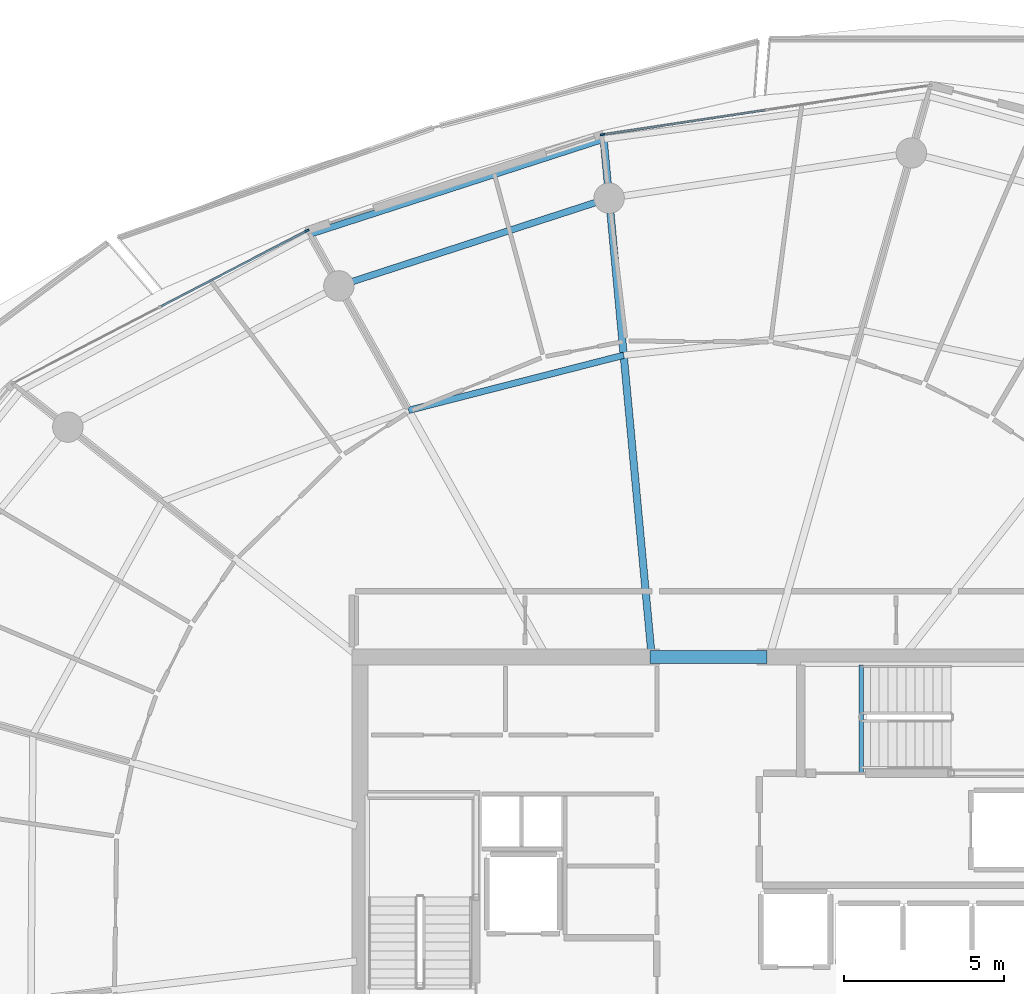
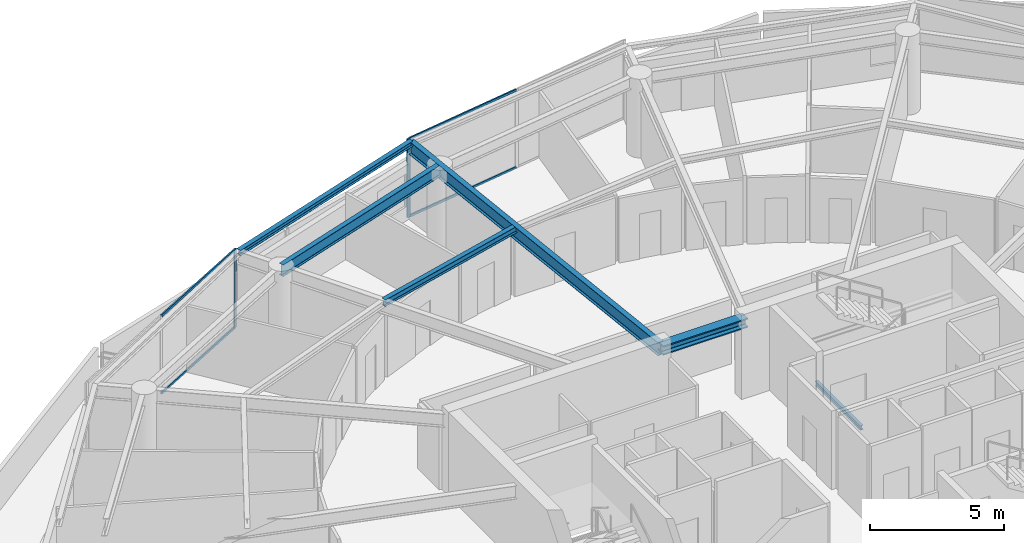
# One storey, part 13 of 30: 6 beams, 6 members, 2 elements without a shape of their own.
"""IFC4 building model written with IfcOpenShell, lengths in metres."""

import ifcopenshell
import ifcopenshell.guid

model = None  # the IFC model being written
_history = None  # IfcOwnerHistory: only IFC2X3 demands one
_inside = {}  # id of a spatial element -> (the spatial element, [elements in it])
_under = {}  # id of a project, library or spatial element -> (it, [spatial elements below it])
_declared = {}  # id of a project -> (the project, [libraries it declares])
_typed = {}  # id of a type object -> (the type object, [elements of that type])
_made_of = {}  # id of a material, layer set ... -> (it, [elements and type objects made of it])


def new_model(schema):
    """Start an empty IFC model of exactly this schema.

    Asked for "IFC4X3", IfcOpenShell would pick the latest addendum, in which some entities
    have other attributes; the version numbers below select the first issue.
    IFC2X3 requires an IfcOwnerHistory on every rooted entity: one is made here for all.
    """
    global model, _history
    if schema == "IFC4X3":
        model = ifcopenshell.file(schema_version=(4, 3, 0, 0))
    else:
        model = ifcopenshell.file(schema=schema)
    _inside.clear()
    _under.clear()
    _declared.clear()
    _typed.clear()
    _made_of.clear()
    _history = None
    if model.schema == "IFC2X3":
        org = make("IfcOrganization", Name="unknown")
        user = make(
            "IfcPersonAndOrganization",
            ThePerson=make("IfcPerson", FamilyName="unknown"),
            TheOrganization=org,
        )
        app = make(
            "IfcApplication",
            ApplicationDeveloper=org,
            Version="unknown",
            ApplicationFullName="unknown",
            ApplicationIdentifier="unknown",
        )
        _history = make(
            "IfcOwnerHistory",
            OwningUser=user,
            OwningApplication=app,
            ChangeAction="ADDED",
            CreationDate=0,
        )
    return model


def make(cls, **values):
    """One entity of the class cls with the attributes given. An attribute that is None is left unset."""
    return model.create_entity(
        cls, **{name: value for name, value in values.items() if value is not None}
    )


def rooted(cls, **values):
    """An entity with a GlobalId (a new one), such as an element, a storey or a relation."""
    return make(cls, GlobalId=ifcopenshell.guid.new(), OwnerHistory=_history, **values)


def si_unit(unit_type, name, prefix=None):
    """IfcSIUnit, for example si_unit("LENGTHUNIT", "METRE", prefix="MILLI")."""
    return make("IfcSIUnit", UnitType=unit_type, Prefix=prefix, Name=name)


def assignment(units):
    """IfcUnitAssignment: the units of a project."""
    return None if units is None else make("IfcUnitAssignment", Units=units)


def point(xyz):
    """IfcCartesianPoint."""
    return None if xyz is None else make("IfcCartesianPoint", Coordinates=xyz)


def direction(xyz):
    """IfcDirection."""
    return None if xyz is None else make("IfcDirection", DirectionRatios=xyz)


def frame(location, z_axis=None, x_axis=None):
    """IfcAxis2Placement3D, a coordinate frame: its origin and axes. An axis left out is left unset."""
    return make(
        "IfcAxis2Placement3D",
        Location=point(location),
        Axis=direction(z_axis),
        RefDirection=direction(x_axis),
    )


def frame_2d(location, x_axis=None):
    """IfcAxis2Placement2D, a coordinate frame in the plane: its origin and x axis."""
    return make(
        "IfcAxis2Placement2D", Location=point(location), RefDirection=direction(x_axis)
    )


def origin():
    """The frame at (0, 0, 0) with its axes left unset."""
    return frame((0.0, 0.0, 0.0))


def origin_2d():
    """The frame at (0, 0) in the plane with its x axis left unset."""
    return frame_2d((0.0, 0.0))


def place(relative_to, where):
    """IfcLocalPlacement: puts the frame where relative to a parent placement (None: the world)."""
    return make(
        "IfcLocalPlacement", PlacementRelTo=relative_to, RelativePlacement=where
    )


def context(
    kind, dimensions, precision=None, world=None, true_north=None, identifier=None
):
    """IfcGeometricRepresentationContext, for example the 3D "Model" context."""
    return make(
        "IfcGeometricRepresentationContext",
        ContextIdentifier=identifier,
        ContextType=kind,
        CoordinateSpaceDimension=dimensions,
        Precision=precision,
        WorldCoordinateSystem=world,
        TrueNorth=true_north,
    )


def subcontext(parent, identifier, kind, view, scale=None):
    """IfcGeometricRepresentationSubContext, for example "Body" below "Model"."""
    return make(
        "IfcGeometricRepresentationSubContext",
        ContextIdentifier=identifier,
        ContextType=kind,
        ParentContext=parent,
        TargetScale=scale,
        TargetView=view,
    )


def project(units=None, contexts=None):
    """IfcProject with its units and contexts."""
    return rooted(
        "IfcProject",
        Name="project",
        RepresentationContexts=contexts,
        UnitsInContext=assignment(units),
    )


def spatial(cls, under=None, at=None, **own):
    """A site, building, storey or space (cls), placed at a placement, below another one or the project."""
    s = rooted(cls, ObjectPlacement=at, **own)
    if under is not None:
        _under.setdefault(under.id(), (under, []))[1].append(s)
    return s


def profile(cls, at=None, kind="AREA", **sizes):
    """A parametric profile (cls). Its sizes go by their IFC names, for example OverallWidth=200.0."""
    return make(cls, ProfileType=kind, Position=at, **sizes)


def rectangle(**sizes):
    """IfcRectangleProfileDef."""
    return profile("IfcRectangleProfileDef", **sizes)


def i_section(**sizes):
    """IfcIShapeProfileDef."""
    return profile("IfcIShapeProfileDef", **sizes)


def extrude(swept, where, along, depth):
    """IfcExtrudedAreaSolid: the profile swept, set in the frame where, extruded along a direction by depth."""
    return make(
        "IfcExtrudedAreaSolid",
        SweptArea=swept,
        Position=where,
        ExtrudedDirection=direction(along),
        Depth=depth,
    )


def shape(context_of_items, identifier, shape_type, items):
    """IfcShapeRepresentation: the items that make up one representation, for example the "Body"."""
    return make(
        "IfcShapeRepresentation",
        ContextOfItems=context_of_items,
        RepresentationIdentifier=identifier,
        RepresentationType=shape_type,
        Items=items,
    )


def material(Name=None, Category=None):
    """IfcMaterial."""
    return make("IfcMaterial", Name=Name, Category=Category)


def layer(
    of_material, thickness, ventilated=None, Name=None, Category=None, Priority=None
):
    """IfcMaterialLayer: one layer of a wall or slab, of a material (None: an air gap)."""
    return make(
        "IfcMaterialLayer",
        Material=of_material,
        LayerThickness=thickness,
        IsVentilated=ventilated,
        Name=Name,
        Category=Category,
        Priority=Priority,
    )


def layer_set(layers, Name=None):
    """IfcMaterialLayerSet."""
    return make("IfcMaterialLayerSet", MaterialLayers=layers, LayerSetName=Name)


def material_profile(
    of_material, cross_section, Name=None, Category=None, Priority=None
):
    """IfcMaterialProfile: a cross section and its material."""
    return make(
        "IfcMaterialProfile",
        Name=Name,
        Material=of_material,
        Profile=cross_section,
        Priority=Priority,
        Category=Category,
    )


def profile_set(profiles, Name=None, composite=None):
    """IfcMaterialProfileSet."""
    return make(
        "IfcMaterialProfileSet",
        Name=Name,
        MaterialProfiles=profiles,
        CompositeProfile=composite,
    )


def made_of(thing, what):
    """Note that an element or type object is made of a material, layer set ...; save() writes the relation."""
    if what is not None:
        _made_of.setdefault(what.id(), (what, []))[1].append(thing)
    return thing


def type_object(cls, material=None, **own):
    """A type object (cls), such as IfcWallType, which elements share."""
    return made_of(rooted(cls, **own), material)


def element(
    cls,
    number,
    at=None,
    inside=None,
    cuts=None,
    type_object=None,
    material=None,
    context=None,
    identifier="Body",
    shape_type=None,
    held_by="IfcProductDefinitionShape",
    body=None,
    shapes=None,
    **own,
):
    """One element of the class cls, such as IfcWall. Its Tag is "e" and its number.

    at: its placement. inside: the storey or other place that contains it. cuts: it is an
    opening in that element (IfcRelVoidsElement). A single representation is given by context,
    identifier, shape_type and body (its items); several are given by shapes. held_by: the class
    of the entity that holds the representations. save() writes the other relations.
    """
    e = rooted(cls, Tag="e%d" % number, ObjectPlacement=at, **own)
    if body is not None:
        shapes = [shape(context, identifier, shape_type, body)]
    if shapes is not None:
        e.Representation = make(held_by, Representations=shapes)
    if inside is not None:
        _inside.setdefault(inside.id(), (inside, []))[1].append(e)
    if cuts is not None:
        rooted(
            "IfcRelVoidsElement", RelatingBuildingElement=cuts, RelatedOpeningElement=e
        )
    if type_object is not None:
        _typed.setdefault(type_object.id(), (type_object, []))[1].append(e)
    return made_of(e, material)


def aggregate(whole, parts):
    """IfcRelAggregates: a whole, such as a stair, and the parts it consists of."""
    return rooted("IfcRelAggregates", RelatingObject=whole, RelatedObjects=parts)


def save(model, path):
    """Write the relations noted so far, then the file.

    IfcRelAggregates (storeys below a building ...), IfcRelContainedInSpatialStructure (elements
    in a storey), IfcRelDefinesByType, IfcRelAssociatesMaterial and IfcRelDeclares: one each for
    every whole, place, type object, material and project.
    """
    for whole, parts in _under.values():
        aggregate(whole, parts)
    for where, things in _inside.values():
        rooted(
            "IfcRelContainedInSpatialStructure",
            RelatedElements=things,
            RelatingStructure=where,
        )
    for kind, things in _typed.values():
        rooted("IfcRelDefinesByType", RelatedObjects=things, RelatingType=kind)
    for what, things in _made_of.values():
        rooted("IfcRelAssociatesMaterial", RelatedObjects=things, RelatingMaterial=what)
    for by, libraries in _declared.values():
        rooted("IfcRelDeclares", RelatingContext=by, RelatedDefinitions=libraries)
    model.write(path)


model = new_model("IFC4")

# Units and contexts
model_context = context("Model", 3, precision=1e-05, world=origin(), true_north=direction((0.0, 1.0)))
body_context = subcontext(model_context, "Body", "Model", "MODEL_VIEW")
ifc_project = project(units=[si_unit("LENGTHUNIT", "METRE"), si_unit("AREAUNIT", "SQUARE_METRE"), si_unit("VOLUMEUNIT", "CUBIC_METRE"), si_unit("PLANEANGLEUNIT", "RADIAN"), si_unit("MASSUNIT", "GRAM", prefix="KILO")], contexts=[model_context])

# Site, building, storey
site_placement = place(None, origin())
site = spatial("IfcSite", under=ifc_project, at=site_placement, CompositionType="ELEMENT")
building_placement = place(site_placement, origin())
building = spatial("IfcBuilding", under=site, at=building_placement, Name="Kazma Halo Residences", CompositionType="ELEMENT")
storey_placement = place(building_placement, frame((0.0, 0.0, 294.449951171875)))
storey = spatial("IfcBuildingStorey", under=building, at=storey_placement, Name="L74", CompositionType="ELEMENT", Elevation=294.449951171875)

# Beams
ifc_material_1 = material(Name="Steel S355", Category="steel")
ifc_material_profile_1 = material_profile(ifc_material_1, i_section(OverallWidth=0.201904296875, OverallDepth=0.2470703125, WebThickness=0.00732421875, FlangeThickness=0.010986328125, FilletRadius=0.011962890625, at=origin_2d()), Name="W250x49.1")
ifc_profile_set_1 = profile_set([ifc_material_profile_1], Name="Steel S355")
beam_type_1 = type_object("IfcBeamType", Name="BM-BAL-CANT", PredefinedType="BEAM", material=ifc_profile_set_1)
beam_1_placement = place(storey_placement, frame((45.157470703125, 66.412841796875, 3.466552734375), z_axis=(-0.95136941054, -0.308052340826, 0.0), x_axis=(0.308052340826, -0.95136941054, 0.0)))
element("IfcBeam", 1, at=beam_1_placement, inside=storey, type_object=beam_type_1, Name="L74 wave-balcony tie beam 04", PredefinedType="BEAM", context=body_context, shape_type="SweptSolid", body=[
    extrude(i_section(OverallWidth=0.201904296875, OverallDepth=0.2470703125, WebThickness=0.00732421875, FlangeThickness=0.010986328125, FilletRadius=0.011962890625, at=origin_2d()), origin(), (0.0, 0.0, 1.0), 9.635498046875),
])
ifc_material_profile_2 = material_profile(ifc_material_1, i_section(OverallWidth=0.408935546875, OverallDepth=0.425048828125, WebThickness=0.03271484375, FlangeThickness=0.052490234375, FilletRadius=0.02001953125, at=origin_2d()), Name="W360x421")
ifc_profile_set_2 = profile_set([ifc_material_profile_2], Name="Steel S355")
beam_type_2 = type_object("IfcBeamType", Name="BM-CORE-W360H", PredefinedType="BEAM", material=ifc_profile_set_2)
beam_2_placement = place(storey_placement, frame((46.60009765625, 50.25, 3.37744140625), z_axis=(1.0, 0.0, 0.0), x_axis=(0.0, 1.0, 0.0)))
element("IfcBeam", 2, at=beam_2_placement, inside=storey, type_object=beam_type_2, Name="L74 core coupling beam N", PredefinedType="BEAM", context=body_context, shape_type="SweptSolid", body=[
    extrude(i_section(OverallWidth=0.408935546875, OverallDepth=0.425048828125, WebThickness=0.03271484375, FlangeThickness=0.052490234375, FilletRadius=0.02001953125, at=origin_2d()), origin(), (0.0, 0.0, 1.0), 3.64990234375),
])
ifc_material_profile_3 = material_profile(ifc_material_1, i_section(OverallWidth=0.22802734375, OverallDepth=0.60791015625, WebThickness=0.01123046875, FlangeThickness=0.017333984375, FilletRadius=0.01806640625, at=origin_2d()), Name="W610x113")
ifc_profile_set_3 = profile_set([ifc_material_profile_3], Name="Steel S355")
beam_type_3 = type_object("IfcBeamType", Name="BM-RAD-W610", PredefinedType="BEAM", material=ifc_profile_set_3)
beam_3_placement = place(storey_placement, frame((46.64990234375, 50.35009765625, 3.2861328125), z_axis=(-0.092514152003, 0.995711369664, 0.0), x_axis=(-0.995711369664, -0.092514152003, 0.0)))
element("IfcBeam", 3, at=beam_3_placement, inside=storey, type_object=beam_type_3, Name="L74 radial floor beam 04", PredefinedType="BEAM", context=body_context, shape_type="SweptSolid", body=[
    extrude(i_section(OverallWidth=0.22802734375, OverallDepth=0.60791015625, WebThickness=0.01123046875, FlangeThickness=0.017333984375, FilletRadius=0.01806640625, at=origin_2d()), origin(), (0.0, 0.0, 1.0), 16.1318359375),
])
ifc_material_profile_4 = material_profile(ifc_material_1, i_section(OverallWidth=0.202880859375, OverallDepth=0.302978515625, WebThickness=0.007568359375, FlangeThickness=0.01318359375, FilletRadius=0.013916015625, at=origin_2d()), Name="W310x60")
ifc_profile_set_4 = profile_set([ifc_material_profile_4], Name="Steel S355")
beam_type_4 = type_object("IfcBeamType", Name="BM-SEC-W310A", PredefinedType="JOIST", material=ifc_profile_set_4)
beam_4_placement = place(storey_placement, frame((45.7841796875, 59.66650390625, 3.4384765625), z_axis=(-0.968655607923, -0.248407554714, 0.0), x_axis=(0.248407554714, -0.968655607923, 0.0)))
element("IfcBeam", 4, at=beam_4_placement, inside=storey, type_object=beam_type_4, Name="L74 circumferential floor joist 04", PredefinedType="JOIST", context=body_context, shape_type="SweptSolid", body=[
    extrude(i_section(OverallWidth=0.202880859375, OverallDepth=0.302978515625, WebThickness=0.007568359375, FlangeThickness=0.01318359375, FilletRadius=0.013916015625, at=origin_2d()), origin(), (0.0, 0.0, 1.0), 6.930908203125),
])
ifc_material_profile_5 = material_profile(ifc_material_1, i_section(OverallWidth=0.208984375, OverallDepth=0.532958984375, WebThickness=0.01025390625, FlangeThickness=0.015625, FilletRadius=0.01611328125, at=origin_2d()), Name="W530x92")
ifc_profile_set_5 = profile_set([ifc_material_profile_5], Name="Steel S355")
beam_type_5 = type_object("IfcBeamType", Name="BM-SPN-W530", PredefinedType="BEAM", material=ifc_profile_set_5)
beam_5_placement = place(storey_placement, frame((45.32861328125, 64.57080078125, 3.323486328125), z_axis=(-0.951053893407, -0.309025066679, 0.0), x_axis=(0.309025066679, -0.951053893407, 0.0)))
element("IfcBeam", 5, at=beam_5_placement, inside=storey, type_object=beam_type_5, Name="L74 perimeter ring beam 04", PredefinedType="BEAM", context=body_context, shape_type="SweptSolid", body=[
    extrude(i_section(OverallWidth=0.208984375, OverallDepth=0.532958984375, WebThickness=0.01025390625, FlangeThickness=0.015625, FilletRadius=0.01611328125, at=origin_2d()), origin(), (0.0, 0.0, 1.0), 8.8681640625),
])
ifc_material_profile_6 = material_profile(ifc_material_1, i_section(OverallWidth=0.133056640625, OverallDepth=0.20703125, WebThickness=0.005859375, FlangeThickness=0.00830078125, FilletRadius=0.010009765625, at=origin_2d()), Name="W200x26.6")
ifc_profile_set_6 = profile_set([ifc_material_profile_6], Name="Steel S355")
beam_type_6 = type_object("IfcBeamType", Name="BM-TRIM-W200", PredefinedType="BEAM", material=ifc_profile_set_6)
beam_6_placement = place(storey_placement, frame((53.199951171875, 46.6201171875, -0.369873046875), z_axis=(0.0, 1.0, 0.0), x_axis=(-1.0, 0.0, 0.0)))
element("IfcBeam", 6, at=beam_6_placement, inside=storey, type_object=beam_type_6, Name="L74 ST-02 floor landing support beam", PredefinedType="BEAM", context=body_context, shape_type="SweptSolid", body=[
    extrude(i_section(OverallWidth=0.133056640625, OverallDepth=0.20703125, WebThickness=0.005859375, FlangeThickness=0.00830078125, FilletRadius=0.010009765625, at=origin_2d()), origin(), (0.0, 0.0, 1.0), 3.3798828125),
])

# Curtain wall, member
ifc_material_2 = material(Name="Aluminium AW-6063 T6 and Triple-Silver Low-E Glass", Category="aluminium")
ifc_layer = layer(ifc_material_2, 0.139892578125)
ifc_layer_set = layer_set([ifc_layer], Name="Aluminium AW-6063 T6 and Triple-Silver Low-E Glass")
curtain_wall_type = type_object("IfcCurtainWallType", Name="CW-SYS-5", PredefinedType="NOTDEFINED", material=ifc_layer_set)
curtain_wall_1_placement = place(storey_placement, origin())
curtain_wall_1 = element("IfcCurtainWall", 7, at=curtain_wall_1_placement, inside=storey, type_object=curtain_wall_type, Name="L74 unitised curtain wall B03", PredefinedType="NOTDEFINED")
ifc_material_3 = material(Name="Aluminium AW-6063 T6", Category="aluminium")
ifc_material_profile_7 = material_profile(ifc_material_3, rectangle(XDim=0.06005859375, YDim=0.139892578125, at=origin_2d()), Name="CWM-60x140")
ifc_profile_set_7 = profile_set([ifc_material_profile_7], Name="Aluminium AW-6063 T6")
member_type_1 = type_object("IfcMemberType", Name="CW-SYS-5-MUL", PredefinedType="MULLION", material=ifc_profile_set_7)
member_1_placement = place(storey_placement, frame((45.124267578125, 66.552734375, 0.0), z_axis=(0.0, 0.0, 1.0), x_axis=(0.148697080374, -0.988882792998, 0.0)))
member_1 = element("IfcMember", 8, at=member_1_placement, type_object=member_type_1, Name="CWS-5 mullion 3", PredefinedType="MULLION", context=body_context, shape_type="SweptSolid", body=[
    extrude(rectangle(XDim=0.06005859375, YDim=0.139892578125, at=origin_2d()), origin(), (0.0, 0.0, 1.0), 3.590087890625),
])

curtain_wall_2_placement = place(storey_placement, origin())
curtain_wall_2 = element("IfcCurtainWall", 9, at=curtain_wall_2_placement, inside=storey, type_object=curtain_wall_type, Name="L74 unitised curtain wall B05", PredefinedType="NOTDEFINED")
member_2_placement = place(storey_placement, frame((35.894775390625, 63.553955078125, 0.0), z_axis=(0.0, 0.0, 1.0), x_axis=(0.460960760804, -0.887420518694, 0.0)))
member_2 = element("IfcMember", 10, at=member_2_placement, type_object=member_type_1, Name="CWS-5 mullion 1", PredefinedType="MULLION", context=body_context, shape_type="SweptSolid", body=[
    extrude(rectangle(XDim=0.06005859375, YDim=0.139892578125, at=origin_2d()), origin(), (0.0, 0.0, 1.0), 3.590087890625),
])

# Member
ifc_material_profile_8 = material_profile(ifc_material_3, rectangle(XDim=0.06005859375, YDim=0.10498046875, at=origin_2d()), Name="CWT-60x105")
ifc_profile_set_8 = profile_set([ifc_material_profile_8], Name="Aluminium AW-6063 T6")
member_type_2 = type_object("IfcMemberType", Name="CW-SYS-5-TRN", PredefinedType="USERDEFINED", material=ifc_profile_set_8)
member_3_placement = place(storey_placement, frame((50.19677734375, 67.3154296875, 0.030029296875), z_axis=(-0.988882913569, -0.148696278541, 0.0), x_axis=(0.148696278541, -0.988882913569, 0.0)))
member_3 = element("IfcMember", 11, at=member_3_placement, type_object=member_type_2, Name="CWS-5 transom 2.1", ObjectType="TRANSOM", PredefinedType="USERDEFINED", context=body_context, shape_type="SweptSolid", body=[
    extrude(rectangle(XDim=0.06005859375, YDim=0.10498046875, at=origin_2d()), origin(), (0.0, 0.0, 1.0), 5.099609375),
])

member_4_placement = place(storey_placement, frame((50.19677734375, 67.3154296875, 3.56005859375), z_axis=(-0.988882913569, -0.148696278541, 0.0), x_axis=(0.148696278541, -0.988882913569, 0.0)))
member_4 = element("IfcMember", 12, at=member_4_placement, type_object=member_type_2, Name="CWS-5 transom 2.2", ObjectType="TRANSOM", PredefinedType="USERDEFINED", context=body_context, shape_type="SweptSolid", body=[
    extrude(rectangle(XDim=0.06005859375, YDim=0.10498046875, at=origin_2d()), origin(), (0.0, 0.0, 1.0), 5.099609375),
])

aggregate(curtain_wall_1, [member_1, member_3, member_4])

member_5_placement = place(storey_placement, frame((35.8681640625, 63.5400390625, 0.030029296875), z_axis=(-0.887436955863, -0.46092911534, 0.0), x_axis=(0.46092911534, -0.887436955863, 0.0)))
member_5 = element("IfcMember", 13, at=member_5_placement, type_object=member_type_2, Name="CWS-5 transom 1.1", ObjectType="TRANSOM", PredefinedType="USERDEFINED", context=body_context, shape_type="SweptSolid", body=[
    extrude(rectangle(XDim=0.06005859375, YDim=0.10498046875, at=origin_2d()), origin(), (0.0, 0.0, 1.0), 5.099609375),
])

member_6_placement = place(storey_placement, frame((35.8681640625, 63.5400390625, 3.56005859375), z_axis=(-0.887436955863, -0.46092911534, 0.0), x_axis=(0.46092911534, -0.887436955863, 0.0)))
member_6 = element("IfcMember", 14, at=member_6_placement, type_object=member_type_2, Name="CWS-5 transom 1.2", ObjectType="TRANSOM", PredefinedType="USERDEFINED", context=body_context, shape_type="SweptSolid", body=[
    extrude(rectangle(XDim=0.06005859375, YDim=0.10498046875, at=origin_2d()), origin(), (0.0, 0.0, 1.0), 5.099609375),
])

aggregate(curtain_wall_2, [member_2, member_5, member_6])

save(model, "model.ifc")
